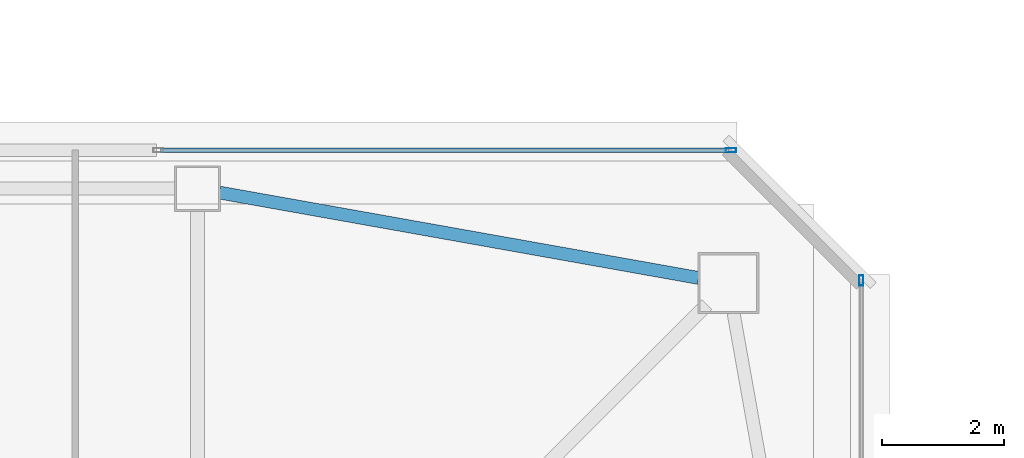
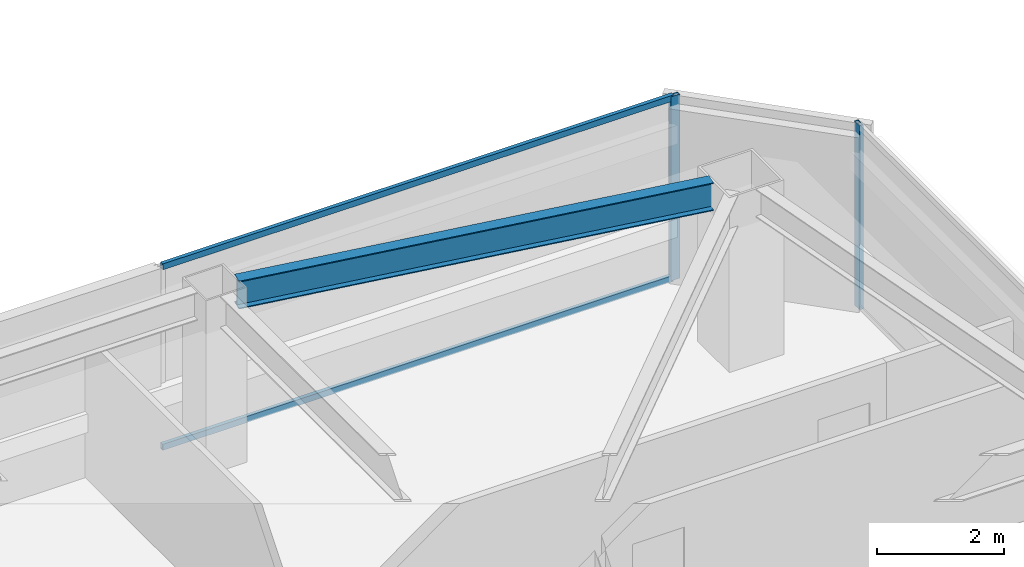
# One storey, part 15 of 39: 4 members, 1 beam, 2 elements without a shape of their own.
"""IFC4 building model written with IfcOpenShell, lengths in metres."""

from ifc_helpers import new_model, si_unit, direction, frame, origin, origin_2d, place, context, subcontext, project, spatial, hollow_rectangle, i_section, extrude, material, material_profile, profile_set, type_object, element, aggregate, save


model = new_model("IFC4")

# Units and contexts
model_context = context("Model", 3, precision=1e-05, world=origin(), true_north=direction((0.0, 1.0)))
body_context = subcontext(model_context, "Body", "Model", "MODEL_VIEW")
ifc_project = project(units=[si_unit("LENGTHUNIT", "METRE"), si_unit("AREAUNIT", "SQUARE_METRE"), si_unit("VOLUMEUNIT", "CUBIC_METRE"), si_unit("PLANEANGLEUNIT", "RADIAN"), si_unit("MASSUNIT", "GRAM", prefix="KILO")], contexts=[model_context])

# Site, building, storey
site_placement = place(None, origin())
site = spatial("IfcSite", under=ifc_project, at=site_placement, CompositionType="ELEMENT")
building_placement = place(site_placement, origin())
building = spatial("IfcBuilding", under=site, at=building_placement, Name="Tashvorn Skyway Center", CompositionType="ELEMENT")
storey_placement = place(building_placement, frame((0.0, 0.0, 207.75)))
storey = spatial("IfcBuildingStorey", under=building, at=storey_placement, Name="L56", CompositionType="ELEMENT", Elevation=207.75)

# Beam
ifc_material_1 = material(Name="Steel ASTM A992 Grade 50", Category="steel")
ifc_material_profile_1 = material_profile(ifc_material_1, i_section(OverallWidth=0.2109375, OverallDepth=0.5390625, WebThickness=0.01171875, FlangeThickness=0.018798828125, at=origin_2d()), Name="W21X73")
ifc_profile_set_1 = profile_set([ifc_material_profile_1], Name="Steel ASTM A992 Grade 50")
beam_type = type_object("IfcBeamType", Name="BM-SPANDREL-W21X73", PredefinedType="SPANDREL", material=ifc_profile_set_1)
beam_placement = place(storey_placement, frame((55.61279296875, 46.186767578125, 3.1005859375), z_axis=(-0.984494883191, 0.17541329759, 0.0), x_axis=(-0.17541329759, -0.984494883191, 0.0)))
element("IfcBeam", 1, at=beam_placement, inside=storey, type_object=beam_type, Name="Tower 1 L56 Spandrel Beam 07", PredefinedType="SPANDREL", context=body_context, shape_type="SweptSolid", body=[
    extrude(i_section(OverallWidth=0.2109375, OverallDepth=0.5390625, WebThickness=0.01171875, FlangeThickness=0.018798828125, at=origin_2d()), origin(), (0.0, 0.0, 1.0), 7.97216796875),
])

# Curtain wall, member
ifc_material_2 = material(Name="Thermally broken bronze-anodized aluminium 6063-T6", Category="aluminium")
curtain_wall_type = type_object("IfcCurtainWallType", Name="CW-CW-Z5", PredefinedType="NOTDEFINED", material=ifc_material_2)
curtain_wall_1_placement = place(storey_placement, origin())
curtain_wall_1 = element("IfcCurtainWall", 2, at=curtain_wall_1_placement, inside=storey, type_object=curtain_wall_type, Name="Tower 1 L56 North Unitised Curtain Wall Glazing Group 2", PredefinedType="NOTDEFINED")
ifc_material_profile_2 = material_profile(ifc_material_2, hollow_rectangle(XDim=0.070068359375, YDim=0.1650390625, WallThickness=0.00390625, at=origin_2d()), Name="ALU-MULL-70x165")
ifc_profile_set_2 = profile_set([ifc_material_profile_2], Name="Thermally broken bronze-anodized aluminium 6063-T6")
member_type_1 = type_object("IfcMemberType", Name="CWM-CW-Z5", PredefinedType="MULLION", material=ifc_profile_set_2)
member_1_placement = place(storey_placement, frame((56.14501953125, 48.280029296875, 0.0), z_axis=(0.0, 0.0, 1.0), x_axis=(0.0, 1.0, 0.0)))
member_1 = element("IfcMember", 3, at=member_1_placement, type_object=member_type_1, Name="CW-Z5 mullion 2", PredefinedType="MULLION", context=body_context, shape_type="SweptSolid", body=[
    extrude(hollow_rectangle(XDim=0.070068359375, YDim=0.1650390625, WallThickness=0.00390625, at=origin_2d()), origin(), (0.0, 0.0, 1.0), 3.550048828125),
])

curtain_wall_2_placement = place(storey_placement, origin())
curtain_wall_2 = element("IfcCurtainWall", 4, at=curtain_wall_2_placement, inside=storey, type_object=curtain_wall_type, Name="Tower 1 L56 East Unitised Curtain Wall Glazing Group 1", PredefinedType="NOTDEFINED")
member_2_placement = place(storey_placement, frame((58.280029296875, 46.14501953125, 0.0), z_axis=(0.0, 0.0, 1.0), x_axis=(1.0, 0.0, 0.0)))
member_2 = element("IfcMember", 5, at=member_2_placement, type_object=member_type_1, Name="CW-Z5 mullion 1", PredefinedType="MULLION", context=body_context, shape_type="SweptSolid", body=[
    extrude(hollow_rectangle(XDim=0.070068359375, YDim=0.1650390625, WallThickness=0.00390625, at=origin_2d()), origin(), (0.0, 0.0, 1.0), 3.550048828125),
])
aggregate(curtain_wall_2, [member_2])

# Member
ifc_material_profile_3 = material_profile(ifc_material_2, hollow_rectangle(XDim=0.070068359375, YDim=0.114990234375, WallThickness=0.00390625, at=origin_2d()), Name="ALU-TRAN-70x115")
ifc_profile_set_3 = profile_set([ifc_material_profile_3], Name="Thermally broken bronze-anodized aluminium 6063-T6")
member_type_2 = type_object("IfcMemberType", Name="CWT-CW-Z5", PredefinedType="USERDEFINED", material=ifc_profile_set_3)
member_3_placement = place(storey_placement, frame((46.796630859375, 48.280029296875, 0.034912109375), z_axis=(1.0, 0.0, 0.0), x_axis=(0.0, 1.0, 0.0)))
member_3 = element("IfcMember", 6, at=member_3_placement, type_object=member_type_2, Name="CW-Z5 transom 1.1", ObjectType="TRANSOM", PredefinedType="USERDEFINED", context=body_context, shape_type="SweptSolid", body=[
    extrude(hollow_rectangle(XDim=0.070068359375, YDim=0.114990234375, WallThickness=0.00390625, at=origin_2d()), origin(), (0.0, 0.0, 1.0), 9.3134765625),
])

member_4_placement = place(storey_placement, frame((46.796630859375, 48.280029296875, 3.514892578125), z_axis=(1.0, 0.0, 0.0), x_axis=(0.0, 1.0, 0.0)))
member_4 = element("IfcMember", 7, at=member_4_placement, type_object=member_type_2, Name="CW-Z5 transom 1.2", ObjectType="TRANSOM", PredefinedType="USERDEFINED", context=body_context, shape_type="SweptSolid", body=[
    extrude(hollow_rectangle(XDim=0.070068359375, YDim=0.114990234375, WallThickness=0.00390625, at=origin_2d()), origin(), (0.0, 0.0, 1.0), 9.3134765625),
])

aggregate(curtain_wall_1, [member_1, member_3, member_4])

save(model, "model.ifc")
